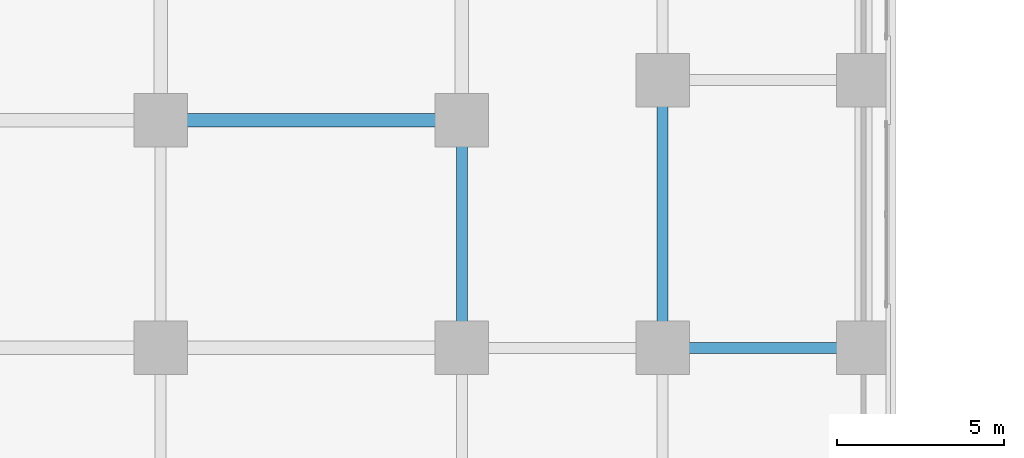
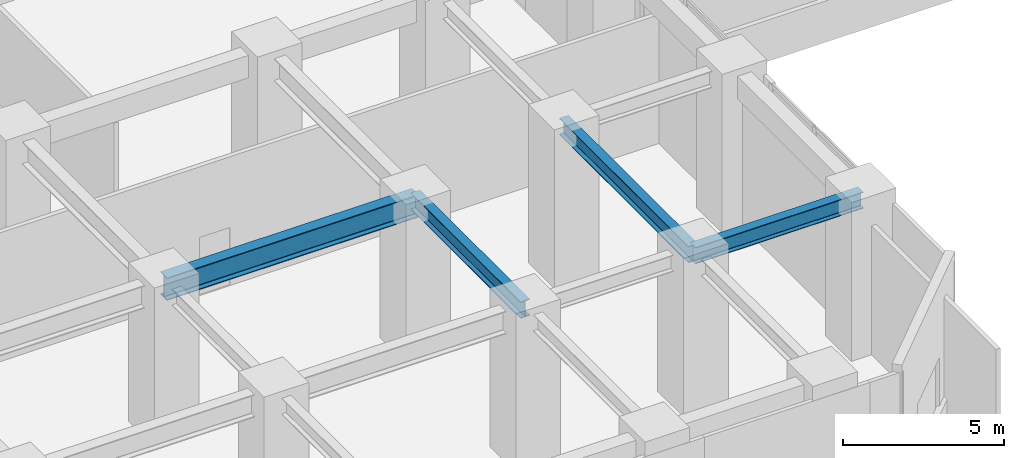
# One storey, part 10 of 34: 4 beams.
"""IFC4 building model written with IfcOpenShell, lengths in metres."""

from ifc_helpers import new_model, si_unit, direction, frame, origin, origin_2d, place, context, subcontext, project, spatial, i_section, extrude, source, transform, mapped, material, material_profile, profile_set, type_object, element, save


model = new_model("IFC4")

# Units and contexts
model_context = context("Model", 3, precision=1e-05, world=origin(), true_north=direction((0.0, 1.0)))
body_context = subcontext(model_context, "Body", "Model", "MODEL_VIEW")
ifc_project = project(units=[si_unit("LENGTHUNIT", "METRE"), si_unit("AREAUNIT", "SQUARE_METRE"), si_unit("VOLUMEUNIT", "CUBIC_METRE"), si_unit("PLANEANGLEUNIT", "RADIAN"), si_unit("MASSUNIT", "GRAM", prefix="KILO")], contexts=[model_context])

# Site, building, storey
site_placement = place(None, origin())
site = spatial("IfcSite", under=ifc_project, at=site_placement, CompositionType="ELEMENT")
building_placement = place(site_placement, origin())
building = spatial("IfcBuilding", under=site, at=building_placement, Name="Torre Montelarca", CompositionType="ELEMENT")
storey_placement = place(building_placement, frame((0.0, 0.0, 6.0)))
storey = spatial("IfcBuildingStorey", under=building, at=storey_placement, Name="L02", CompositionType="ELEMENT", Elevation=6.0)

# Beams
ifc_material = material(Name="Steel ASTM A992 Grade 50", Category="steel")
ifc_material_profile_1 = material_profile(ifc_material, i_section(OverallWidth=0.39990234375, OverallDepth=0.85498046875, WebThickness=0.018310546875, FlangeThickness=0.029296875, FilletRadius=0.02001953125, at=origin_2d()), Name="W840X299", Category="steel")
ifc_profile_set_1 = profile_set([ifc_material_profile_1], Name="Steel ASTM A992 Grade 50")
beam_type_1 = type_object("IfcBeamType", Name="BM-G-W840", PredefinedType="BEAM", material=ifc_profile_set_1)
shared_shape_1 = source(origin(), body_context, "Body", "SweptSolid", [
    extrude(i_section(OverallWidth=0.39990234375, OverallDepth=0.85498046875, WebThickness=0.018310546875, FlangeThickness=0.029296875, FilletRadius=0.02001953125, at=origin_2d()), origin(), (0.0, 0.0, 1.0), 9.0),
])
beam_1_placement = place(storey_placement, frame((27.0, 14.800048828125, 5.31201171875), z_axis=(1.0, 0.0, 0.0), x_axis=(0.0, 1.0, 0.0)))
element("IfcBeam", 1, at=beam_1_placement, inside=storey, type_object=beam_type_1, Name="L02 Grid Girder X 27.0-36.0 at Y=14.8", PredefinedType="BEAM", context=body_context, shape_type="MappedRepresentation", body=[
    mapped(shared_shape_1, transform((0.0, 0.0, 0.0), scale=1.0)),
])
ifc_material_profile_2 = material_profile(ifc_material, i_section(OverallWidth=0.326904296875, OverallDepth=0.6220703125, WebThickness=0.015380859375, FlangeThickness=0.0244140625, FilletRadius=0.014892578125, at=origin_2d()), Name="W610X195", Category="steel")
ifc_profile_set_2 = profile_set([ifc_material_profile_2], Name="Steel ASTM A992 Grade 50")
beam_type_2 = type_object("IfcBeamType", Name="BM-G-W610H", PredefinedType="BEAM", material=ifc_profile_set_2)
shared_shape_2 = source(origin(), body_context, "Body", "SweptSolid", [
    extrude(i_section(OverallWidth=0.326904296875, OverallDepth=0.6220703125, WebThickness=0.015380859375, FlangeThickness=0.0244140625, FilletRadius=0.014892578125, at=origin_2d()), origin(), (0.0, 0.0, 1.0), 6.0),
])
beam_2_placement = place(storey_placement, frame((42.0, 8.0, 5.428955078125), z_axis=(1.0, 0.0, 0.0), x_axis=(0.0, 1.0, 0.0)))
element("IfcBeam", 2, at=beam_2_placement, inside=storey, type_object=beam_type_2, Name="L02 Grid Girder X 42.0-48.0 at Y=8.0", PredefinedType="BEAM", context=body_context, shape_type="MappedRepresentation", body=[
    mapped(shared_shape_2, transform((0.0, 0.0, 0.0), scale=1.0)),
])
shared_shape_3 = source(origin(), body_context, "Body", "SweptSolid", [
    extrude(i_section(OverallWidth=0.326904296875, OverallDepth=0.6220703125, WebThickness=0.015380859375, FlangeThickness=0.0244140625, FilletRadius=0.014892578125, at=origin_2d()), origin(), (0.0, 0.0, 1.0), 8.0),
])
beam_3_placement = place(storey_placement, frame((42.0, 8.0, 5.428955078125), z_axis=(0.0, 1.0, 0.0), x_axis=(-1.0, 0.0, 0.0)))
element("IfcBeam", 3, at=beam_3_placement, inside=storey, type_object=beam_type_2, Name="L02 Grid Girder Y 8.0-16.0 at X=42.0", PredefinedType="BEAM", context=body_context, shape_type="MappedRepresentation", body=[
    mapped(shared_shape_3, transform((0.0, 0.0, 0.0), scale=1.0)),
])
shared_shape_4 = source(origin(), body_context, "Body", "SweptSolid", [
    extrude(i_section(OverallWidth=0.326904296875, OverallDepth=0.6220703125, WebThickness=0.015380859375, FlangeThickness=0.0244140625, FilletRadius=0.014892578125, at=origin_2d()), origin(), (0.0, 0.0, 1.0), 6.800048828125),
])
beam_4_placement = place(storey_placement, frame((36.0, 8.0, 5.428955078125), z_axis=(0.0, 1.0, 0.0), x_axis=(-1.0, 0.0, 0.0)))
element("IfcBeam", 4, at=beam_4_placement, inside=storey, type_object=beam_type_2, Name="L02 Grid Girder Y 8.0-14.8 at X=36.0", PredefinedType="BEAM", context=body_context, shape_type="MappedRepresentation", body=[
    mapped(shared_shape_4, transform((0.0, 0.0, 0.0), scale=1.0)),
])

save(model, "model.ifc")
